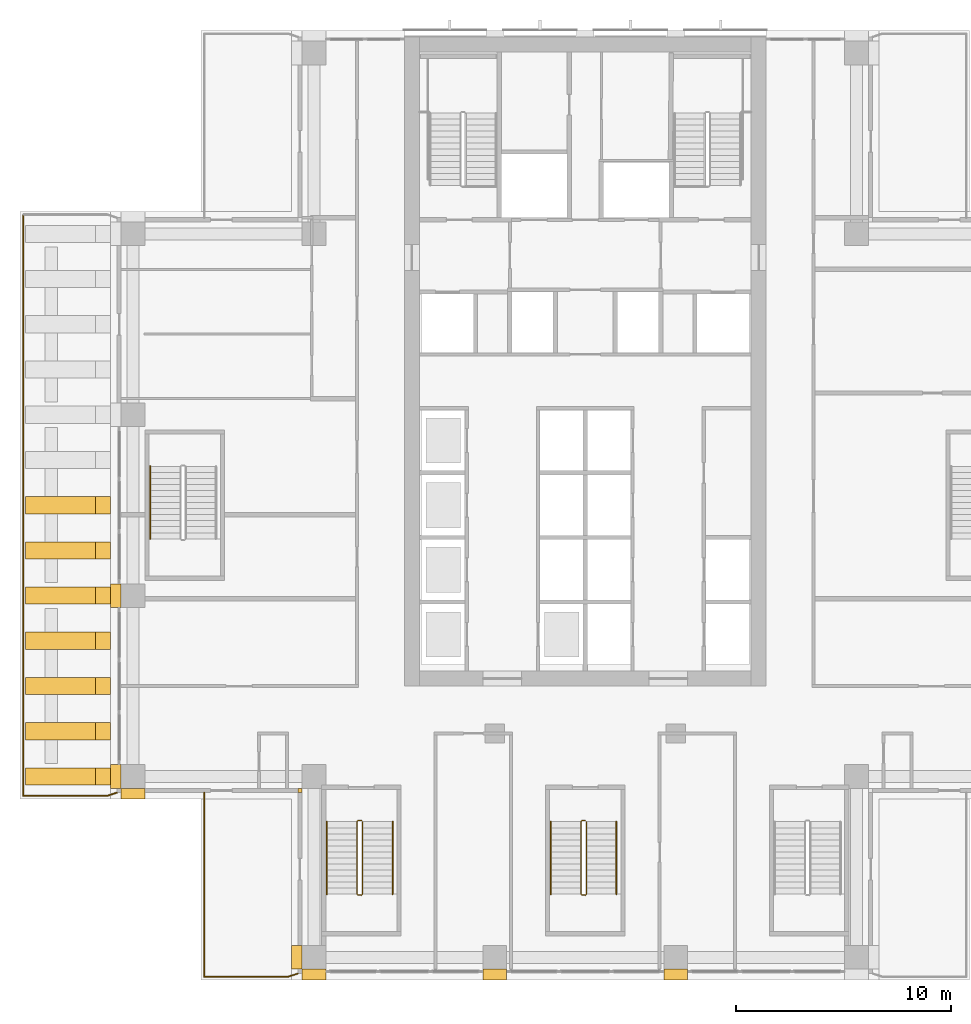
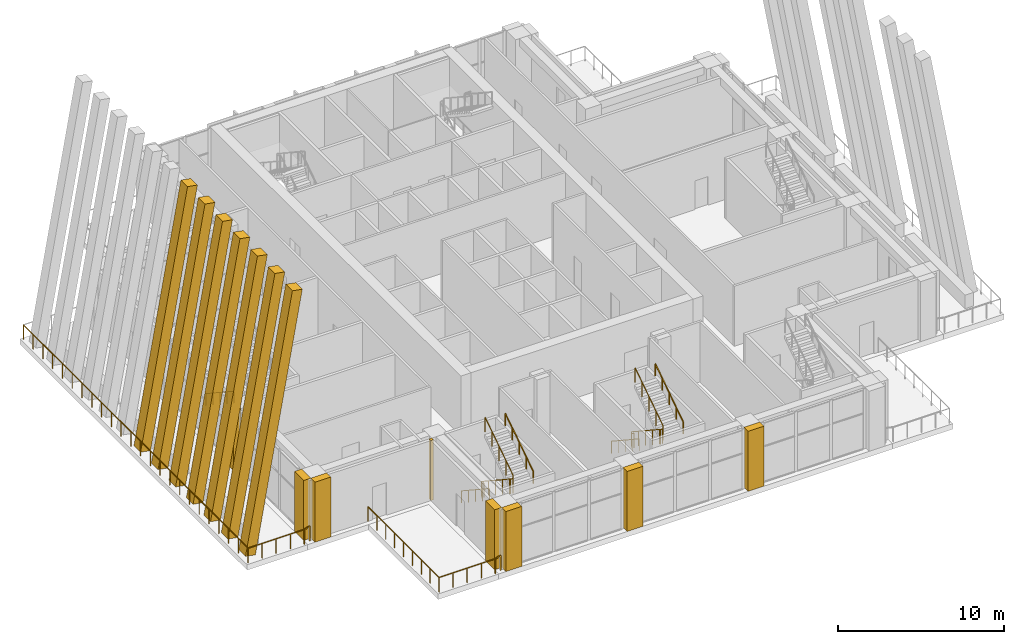
# One storey, part 14 of 19: 15 coverings, 13 railings.
"""IFC4 building model written with IfcOpenShell, lengths in metres."""

from ifc_helpers import new_model, si_unit, direction, frame, origin, origin_2d, place, context, subcontext, project, spatial, polyline, rectangle, outline, extrude, material, material_profile, profile_set, type_object, element, save


model = new_model("IFC4")

# Units and contexts
model_context = context("Model", 3, precision=1e-05, world=origin(), true_north=direction((0.0, 1.0)))
body_context = subcontext(model_context, "Body", "Model", "MODEL_VIEW")
ifc_project = project(units=[si_unit("LENGTHUNIT", "METRE"), si_unit("AREAUNIT", "SQUARE_METRE"), si_unit("VOLUMEUNIT", "CUBIC_METRE"), si_unit("PLANEANGLEUNIT", "RADIAN"), si_unit("MASSUNIT", "GRAM", prefix="KILO")], contexts=[model_context])

# Site, building, storey
site_placement = place(None, origin())
site = spatial("IfcSite", under=ifc_project, at=site_placement, CompositionType="ELEMENT")
building_placement = place(site_placement, origin())
building = spatial("IfcBuilding", under=site, at=building_placement, Name="Vermilion Ogive Tower", CompositionType="ELEMENT")
storey_placement = place(building_placement, frame((0.0, 0.0, 128.300048828125)))
storey = spatial("IfcBuildingStorey", under=building, at=storey_placement, Name="L32", CompositionType="ELEMENT", Elevation=128.300048828125)

# Railings
ifc_material_1 = material(Name="Steel S355 painted", Category="steel")
railing_type_1 = type_object("IfcRailingType", Name="Stair guard 1100", PredefinedType="GUARDRAIL", material=ifc_material_1)
railing_1_placement = place(storey_placement, frame((-10.39990234375, -14.64990234375, 0.0)))
element("IfcRailing", 1, at=railing_1_placement, inside=storey, type_object=railing_type_1, Name="L32 ST3 stair guard 4", PredefinedType="GUARDRAIL", context=body_context, shape_type="SweptSolid", body=[
    extrude(rectangle(XDim=0.048095703125, YDim=0.048095703125, at=origin_2d()), frame((0.0, 0.0, 1.076171875), z_axis=(-1.0, 0.0, 0.0), x_axis=(0.0, -1.0, 0.0)), (0.0, 0.0, 1.0), 0.150146484375),
    extrude(rectangle(XDim=0.048095703125, YDim=0.048095703125, at=origin_2d()), frame((-0.150146484375, 0.0, 1.076171875), z_axis=(-0.253185614162, -0.253185614162, 0.933699142959), x_axis=(0.707106781187, -0.707106781187, 0.0)), (0.0, 0.0, 1.0), 0.19775390625),
    extrude(rectangle(XDim=0.048095703125, YDim=0.048095703125, at=origin_2d()), frame((-0.2001953125, -0.050048828125, 1.2607421875), z_axis=(0.0, -0.834876476806, 0.550437342915), x_axis=(1.0, 0.0, 0.0)), (0.0, 0.0, 1.0), 4.024658203125),
    extrude(rectangle(XDim=0.048095703125, YDim=0.048095703125, at=origin_2d()), frame((-0.2001953125, -3.41015625, 3.47607421875), z_axis=(0.707106781187, -0.707106781187, 0.0), x_axis=(0.707106781187, 0.707106781187, 0.0)), (0.0, 0.0, 1.0), 0.07080078125),
    extrude(rectangle(XDim=0.048095703125, YDim=0.048095703125, at=origin_2d()), frame((-0.150146484375, -3.460205078125, 3.47607421875), z_axis=(1.0, 0.0, 0.0), x_axis=(0.0, 1.0, 0.0)), (0.0, 0.0, 1.0), 0.150146484375),
    extrude(rectangle(XDim=0.048095703125, YDim=0.048095703125, at=origin_2d()), frame((0.0, -3.460205078125, 3.47607421875), z_axis=(0.252029191293, 0.253264628505, 0.933990532438), x_axis=(-0.708833529934, 0.705375805398, 0.0)), (0.0, 0.0, 1.0), 0.197509765625),
    extrude(rectangle(XDim=0.048095703125, YDim=0.048095703125, at=origin_2d()), frame((0.0498046875, -3.41015625, 3.66064453125), z_axis=(0.0, 0.834848600103, 0.550479622607), x_axis=(-1.0, 0.0, 0.0)), (0.0, 0.0, 1.0), 4.02490234375),
    extrude(rectangle(XDim=0.0419921875, YDim=0.0419921875, at=origin_2d()), origin(), (0.0, 0.0, 1.0), 1.052001953125),
    extrude(rectangle(XDim=0.0419921875, YDim=0.0419921875, at=origin_2d()), frame((-0.150146484375, 0.0, 0.0)), (0.0, 0.0, 1.0), 1.052001953125),
    extrude(rectangle(XDim=0.0419921875, YDim=0.0419921875, at=origin_2d()), frame((-0.2001953125, -0.050048828125, 0.1845703125)), (0.0, 0.0, 1.0), 1.052001953125),
    extrude(rectangle(XDim=0.0419921875, YDim=0.0419921875, at=origin_2d()), frame((-0.2001953125, -0.89013671875, 0.73828125)), (0.0, 0.0, 1.0), 1.052001953125),
    extrude(rectangle(XDim=0.0419921875, YDim=0.0419921875, at=origin_2d()), frame((-0.2001953125, -1.72998046875, 1.292236328125)), (0.0, 0.0, 1.0), 1.052001953125),
    extrude(rectangle(XDim=0.0419921875, YDim=0.0419921875, at=origin_2d()), frame((-0.2001953125, -2.570068359375, 1.84619140625)), (0.0, 0.0, 1.0), 1.052001953125),
    extrude(rectangle(XDim=0.0419921875, YDim=0.0419921875, at=origin_2d()), frame((-0.2001953125, -3.41015625, 2.39990234375)), (0.0, 0.0, 1.0), 1.052001953125),
    extrude(rectangle(XDim=0.0419921875, YDim=0.0419921875, at=origin_2d()), frame((-0.150146484375, -3.460205078125, 2.39990234375)), (0.0, 0.0, 1.0), 1.052001953125),
    extrude(rectangle(XDim=0.0419921875, YDim=0.0419921875, at=origin_2d()), frame((0.0, -3.460205078125, 2.39990234375)), (0.0, 0.0, 1.0), 1.052001953125),
    extrude(rectangle(XDim=0.0419921875, YDim=0.0419921875, at=origin_2d()), frame((0.0498046875, -3.41015625, 2.58447265625)), (0.0, 0.0, 1.0), 1.052001953125),
    extrude(rectangle(XDim=0.0419921875, YDim=0.0419921875, at=origin_2d()), frame((0.0498046875, -2.570068359375, 3.138427734375)), (0.0, 0.0, 1.0), 1.052001953125),
    extrude(rectangle(XDim=0.0419921875, YDim=0.0419921875, at=origin_2d()), frame((0.0498046875, -1.72998046875, 3.6923828125)), (0.0, 0.0, 1.0), 1.052001953125),
    extrude(rectangle(XDim=0.0419921875, YDim=0.0419921875, at=origin_2d()), frame((0.0498046875, -0.89013671875, 4.24609375)), (0.0, 0.0, 1.0), 1.052001953125),
    extrude(rectangle(XDim=0.0419921875, YDim=0.0419921875, at=origin_2d()), frame((0.0498046875, -0.050048828125, 4.800048828125)), (0.0, 0.0, 1.0), 1.052001953125),
])
railing_2_placement = place(storey_placement, frame((0.0, -14.64990234375, 0.0)))
element("IfcRailing", 2, at=railing_2_placement, inside=storey, type_object=railing_type_1, Name="L32 ST4 stair guard 4", PredefinedType="GUARDRAIL", context=body_context, shape_type="SweptSolid", body=[
    extrude(rectangle(XDim=0.048095703125, YDim=0.048095703125, at=origin_2d()), frame((0.0, 0.0, 1.076171875), z_axis=(-1.0, 0.0, 0.0), x_axis=(0.0, -1.0, 0.0)), (0.0, 0.0, 1.0), 0.14990234375),
    extrude(rectangle(XDim=0.048095703125, YDim=0.048095703125, at=origin_2d()), frame((-0.14990234375, 0.0, 1.076171875), z_axis=(-0.253185614162, -0.253185614162, 0.933699142959), x_axis=(0.707106781187, -0.707106781187, 0.0)), (0.0, 0.0, 1.0), 0.19775390625),
    extrude(rectangle(XDim=0.048095703125, YDim=0.048095703125, at=origin_2d()), frame((-0.199951171875, -0.050048828125, 1.2607421875), z_axis=(0.0, -0.834876476806, 0.550437342915), x_axis=(1.0, 0.0, 0.0)), (0.0, 0.0, 1.0), 4.024658203125),
    extrude(rectangle(XDim=0.048095703125, YDim=0.048095703125, at=origin_2d()), frame((-0.199951171875, -3.41015625, 3.47607421875), z_axis=(0.707106781187, -0.707106781187, 0.0), x_axis=(0.707106781187, 0.707106781187, 0.0)), (0.0, 0.0, 1.0), 0.07080078125),
    extrude(rectangle(XDim=0.048095703125, YDim=0.048095703125, at=origin_2d()), frame((-0.14990234375, -3.460205078125, 3.47607421875), z_axis=(1.0, 0.0, 0.0), x_axis=(0.0, 1.0, 0.0)), (0.0, 0.0, 1.0), 0.14990234375),
    extrude(rectangle(XDim=0.048095703125, YDim=0.048095703125, at=origin_2d()), frame((0.0, -3.460205078125, 3.47607421875), z_axis=(0.253185614162, 0.253185614162, 0.933699142959), x_axis=(-0.707106781187, 0.707106781187, 0.0)), (0.0, 0.0, 1.0), 0.19775390625),
    extrude(rectangle(XDim=0.048095703125, YDim=0.048095703125, at=origin_2d()), frame((0.050048828125, -3.41015625, 3.66064453125), z_axis=(0.0, 0.834848600103, 0.550479622607), x_axis=(-1.0, 0.0, 0.0)), (0.0, 0.0, 1.0), 4.02490234375),
    extrude(rectangle(XDim=0.0419921875, YDim=0.0419921875, at=origin_2d()), origin(), (0.0, 0.0, 1.0), 1.052001953125),
    extrude(rectangle(XDim=0.0419921875, YDim=0.0419921875, at=origin_2d()), frame((-0.14990234375, 0.0, 0.0)), (0.0, 0.0, 1.0), 1.052001953125),
    extrude(rectangle(XDim=0.0419921875, YDim=0.0419921875, at=origin_2d()), frame((-0.199951171875, -0.050048828125, 0.1845703125)), (0.0, 0.0, 1.0), 1.052001953125),
    extrude(rectangle(XDim=0.0419921875, YDim=0.0419921875, at=origin_2d()), frame((-0.199951171875, -0.89013671875, 0.73828125)), (0.0, 0.0, 1.0), 1.052001953125),
    extrude(rectangle(XDim=0.0419921875, YDim=0.0419921875, at=origin_2d()), frame((-0.199951171875, -1.72998046875, 1.292236328125)), (0.0, 0.0, 1.0), 1.052001953125),
    extrude(rectangle(XDim=0.0419921875, YDim=0.0419921875, at=origin_2d()), frame((-0.199951171875, -2.570068359375, 1.84619140625)), (0.0, 0.0, 1.0), 1.052001953125),
    extrude(rectangle(XDim=0.0419921875, YDim=0.0419921875, at=origin_2d()), frame((-0.199951171875, -3.41015625, 2.39990234375)), (0.0, 0.0, 1.0), 1.052001953125),
    extrude(rectangle(XDim=0.0419921875, YDim=0.0419921875, at=origin_2d()), frame((-0.14990234375, -3.460205078125, 2.39990234375)), (0.0, 0.0, 1.0), 1.052001953125),
    extrude(rectangle(XDim=0.0419921875, YDim=0.0419921875, at=origin_2d()), frame((0.0, -3.460205078125, 2.39990234375)), (0.0, 0.0, 1.0), 1.052001953125),
    extrude(rectangle(XDim=0.0419921875, YDim=0.0419921875, at=origin_2d()), frame((0.050048828125, -3.41015625, 2.58447265625)), (0.0, 0.0, 1.0), 1.052001953125),
    extrude(rectangle(XDim=0.0419921875, YDim=0.0419921875, at=origin_2d()), frame((0.050048828125, -2.570068359375, 3.138427734375)), (0.0, 0.0, 1.0), 1.052001953125),
    extrude(rectangle(XDim=0.0419921875, YDim=0.0419921875, at=origin_2d()), frame((0.050048828125, -1.72998046875, 3.6923828125)), (0.0, 0.0, 1.0), 1.052001953125),
    extrude(rectangle(XDim=0.0419921875, YDim=0.0419921875, at=origin_2d()), frame((0.050048828125, -0.89013671875, 4.24609375)), (0.0, 0.0, 1.0), 1.052001953125),
    extrude(rectangle(XDim=0.0419921875, YDim=0.0419921875, at=origin_2d()), frame((0.050048828125, -0.050048828125, 4.800048828125)), (0.0, 0.0, 1.0), 1.052001953125),
])
ifc_material_2 = material(Name="Stainless steel", Category="steel")
railing_type_2 = type_object("IfcRailingType", Name="Stair handrail 900", PredefinedType="HANDRAIL", material=ifc_material_2)
railing_3_placement = place(storey_placement, frame((-12.0, -14.699951171875, 0.1845703125)))
element("IfcRailing", 3, at=railing_3_placement, inside=storey, type_object=railing_type_2, Name="L32 ST3 stair handrail 1", PredefinedType="HANDRAIL", context=body_context, shape_type="SweptSolid", body=[
    extrude(rectangle(XDim=0.048095703125, YDim=0.048095703125, at=origin_2d()), frame((0.0, 0.0, 0.8759765625), z_axis=(0.0, -0.834876476806, 0.550437342915), x_axis=(1.0, 0.0, 0.0)), (0.0, 0.0, 1.0), 4.024658203125),
    extrude(rectangle(XDim=0.0419921875, YDim=0.0419921875, at=origin_2d()), origin(), (0.0, 0.0, 1.0), 0.851806640625),
    extrude(rectangle(XDim=0.0419921875, YDim=0.0419921875, at=origin_2d()), frame((0.0, -0.840087890625, 0.5537109375)), (0.0, 0.0, 1.0), 0.851806640625),
    extrude(rectangle(XDim=0.0419921875, YDim=0.0419921875, at=origin_2d()), frame((0.0, -1.68017578125, 1.107666015625)), (0.0, 0.0, 1.0), 0.851806640625),
    extrude(rectangle(XDim=0.0419921875, YDim=0.0419921875, at=origin_2d()), frame((0.0, -2.52001953125, 1.66162109375)), (0.0, 0.0, 1.0), 0.851806640625),
    extrude(rectangle(XDim=0.0419921875, YDim=0.0419921875, at=origin_2d()), frame((0.0, -3.360107421875, 2.21533203125)), (0.0, 0.0, 1.0), 0.851806640625),
])
railing_4_placement = place(storey_placement, frame((-8.949951171875, -18.06005859375, 2.58447265625)))
element("IfcRailing", 4, at=railing_4_placement, inside=storey, type_object=railing_type_2, Name="L32 ST3 stair handrail 2", PredefinedType="HANDRAIL", context=body_context, shape_type="SweptSolid", body=[
    extrude(rectangle(XDim=0.048095703125, YDim=0.048095703125, at=origin_2d()), frame((0.0, 0.0, 0.8759765625), z_axis=(0.0, 0.834848600103, 0.550479622607), x_axis=(-1.0, 0.0, 0.0)), (0.0, 0.0, 1.0), 4.02490234375),
    extrude(rectangle(XDim=0.0419921875, YDim=0.0419921875, at=origin_2d()), origin(), (0.0, 0.0, 1.0), 0.851806640625),
    extrude(rectangle(XDim=0.0419921875, YDim=0.0419921875, at=origin_2d()), frame((0.0, 0.840087890625, 0.553955078125)), (0.0, 0.0, 1.0), 0.851806640625),
    extrude(rectangle(XDim=0.0419921875, YDim=0.0419921875, at=origin_2d()), frame((0.0, 1.68017578125, 1.10791015625)), (0.0, 0.0, 1.0), 0.851806640625),
    extrude(rectangle(XDim=0.0419921875, YDim=0.0419921875, at=origin_2d()), frame((0.0, 2.52001953125, 1.66162109375)), (0.0, 0.0, 1.0), 0.851806640625),
    extrude(rectangle(XDim=0.0419921875, YDim=0.0419921875, at=origin_2d()), frame((0.0, 3.360107421875, 2.215576171875)), (0.0, 0.0, 1.0), 0.851806640625),
])
railing_5_placement = place(storey_placement, frame((-1.60009765625, -14.699951171875, 0.1845703125)))
element("IfcRailing", 5, at=railing_5_placement, inside=storey, type_object=railing_type_2, Name="L32 ST4 stair handrail 1", PredefinedType="HANDRAIL", context=body_context, shape_type="SweptSolid", body=[
    extrude(rectangle(XDim=0.048095703125, YDim=0.048095703125, at=origin_2d()), frame((0.0, 0.0, 0.8759765625), z_axis=(0.0, -0.834876476806, 0.550437342915), x_axis=(1.0, 0.0, 0.0)), (0.0, 0.0, 1.0), 4.024658203125),
    extrude(rectangle(XDim=0.0419921875, YDim=0.0419921875, at=origin_2d()), origin(), (0.0, 0.0, 1.0), 0.851806640625),
    extrude(rectangle(XDim=0.0419921875, YDim=0.0419921875, at=origin_2d()), frame((0.0, -0.840087890625, 0.5537109375)), (0.0, 0.0, 1.0), 0.851806640625),
    extrude(rectangle(XDim=0.0419921875, YDim=0.0419921875, at=origin_2d()), frame((0.0, -1.68017578125, 1.107666015625)), (0.0, 0.0, 1.0), 0.851806640625),
    extrude(rectangle(XDim=0.0419921875, YDim=0.0419921875, at=origin_2d()), frame((0.0, -2.52001953125, 1.66162109375)), (0.0, 0.0, 1.0), 0.851806640625),
    extrude(rectangle(XDim=0.0419921875, YDim=0.0419921875, at=origin_2d()), frame((0.0, -3.360107421875, 2.21533203125)), (0.0, 0.0, 1.0), 0.851806640625),
])
railing_6_placement = place(storey_placement, frame((1.449951171875, -18.06005859375, 2.58447265625)))
element("IfcRailing", 6, at=railing_6_placement, inside=storey, type_object=railing_type_2, Name="L32 ST4 stair handrail 2", PredefinedType="HANDRAIL", context=body_context, shape_type="SweptSolid", body=[
    extrude(rectangle(XDim=0.048095703125, YDim=0.048095703125, at=origin_2d()), frame((0.0, 0.0, 0.8759765625), z_axis=(0.0, 0.834848600103, 0.550479622607), x_axis=(-1.0, 0.0, 0.0)), (0.0, 0.0, 1.0), 4.02490234375),
    extrude(rectangle(XDim=0.0419921875, YDim=0.0419921875, at=origin_2d()), origin(), (0.0, 0.0, 1.0), 0.851806640625),
    extrude(rectangle(XDim=0.0419921875, YDim=0.0419921875, at=origin_2d()), frame((0.0, 0.840087890625, 0.553955078125)), (0.0, 0.0, 1.0), 0.851806640625),
    extrude(rectangle(XDim=0.0419921875, YDim=0.0419921875, at=origin_2d()), frame((0.0, 1.68017578125, 1.10791015625)), (0.0, 0.0, 1.0), 0.851806640625),
    extrude(rectangle(XDim=0.0419921875, YDim=0.0419921875, at=origin_2d()), frame((0.0, 2.52001953125, 1.66162109375)), (0.0, 0.0, 1.0), 0.851806640625),
    extrude(rectangle(XDim=0.0419921875, YDim=0.0419921875, at=origin_2d()), frame((0.0, 3.360107421875, 2.215576171875)), (0.0, 0.0, 1.0), 0.851806640625),
])
railing_7_placement = place(storey_placement, frame((-20.199951171875, 1.800048828125, 0.1845703125)))
element("IfcRailing", 7, at=railing_7_placement, inside=storey, type_object=railing_type_2, Name="L32 ST9 stair handrail 1", PredefinedType="HANDRAIL", context=body_context, shape_type="SweptSolid", body=[
    extrude(rectangle(XDim=0.048095703125, YDim=0.048095703125, at=origin_2d()), frame((0.0, 0.0, 0.8759765625), z_axis=(0.0, -0.834876476806, 0.550437342915), x_axis=(1.0, 0.0, 0.0)), (0.0, 0.0, 1.0), 4.024658203125),
    extrude(rectangle(XDim=0.0419921875, YDim=0.0419921875, at=origin_2d()), origin(), (0.0, 0.0, 1.0), 0.851806640625),
    extrude(rectangle(XDim=0.0419921875, YDim=0.0419921875, at=origin_2d()), frame((0.0, -0.840087890625, 0.5537109375)), (0.0, 0.0, 1.0), 0.851806640625),
    extrude(rectangle(XDim=0.0419921875, YDim=0.0419921875, at=origin_2d()), frame((0.0, -1.68017578125, 1.107666015625)), (0.0, 0.0, 1.0), 0.851806640625),
    extrude(rectangle(XDim=0.0419921875, YDim=0.0419921875, at=origin_2d()), frame((0.0, -2.52001953125, 1.66162109375)), (0.0, 0.0, 1.0), 0.851806640625),
    extrude(rectangle(XDim=0.0419921875, YDim=0.0419921875, at=origin_2d()), frame((0.0, -3.360107421875, 2.21533203125)), (0.0, 0.0, 1.0), 0.851806640625),
])

# Coverings
ifc_material_3 = material(Name="Stone cladding", Category="masonry")
ifc_material_profile = material_profile(ifc_material_3, rectangle(XDim=0.800048828125, YDim=0.699951171875, at=origin_2d()), Name="STONE 800x700")
ifc_profile_set = profile_set([ifc_material_profile], Name="Stone cladding")
covering_type_1 = type_object("IfcCoveringType", Name="Stone flare fin", PredefinedType="CLADDING", material=ifc_profile_set)
for number, where, z_axis, x_axis, name in (
    (8, (-25.64990234375, -12.60009765625, 0.06103515625), (0.174779768693, 0.0, 0.984607552508), (0.0, 1.0, 0.0), "Stone flare fin WL01"),
    (9, (-25.64990234375, -10.5, 0.06103515625), (0.174779768693, 0.0, 0.984607552508), (0.0, 1.0, 0.0), "Stone flare fin WL02"),
    (10, (-25.64990234375, -8.39990234375, 0.06103515625), (0.174779768693, 0.0, 0.984607552508), (0.0, 1.0, 0.0), "Stone flare fin WL03"),
    (11, (-25.64990234375, -6.300048828125, 0.06103515625), (0.174779768693, 0.0, 0.984607552508), (0.0, 1.0, 0.0), "Stone flare fin WL04"),
    (12, (-25.64990234375, -4.199951171875, 0.06103515625), (0.174779768693, 0.0, 0.984607552508), (0.0, 1.0, 0.0), "Stone flare fin WL05"),
    (13, (-25.64990234375, -2.10009765625, 0.06103515625), (0.174779768693, 0.0, 0.984607552508), (0.0, 1.0, 0.0), "Stone flare fin WL06"),
    (14, (-25.64990234375, 0.0, 0.06103515625), (0.174779768693, 0.0, 0.984607552508), (0.0, 1.0, 0.0), "Stone flare fin WL07"),
):
    element("IfcCovering", number, at=place(storey_placement, frame(where, z_axis=z_axis, x_axis=x_axis)), inside=storey, type_object=covering_type_1, Name=name, PredefinedType="CLADDING", context=body_context, shape_type="SweptSolid", body=[
        extrude(rectangle(XDim=0.800048828125, YDim=0.699951171875, at=origin_2d()), origin(), (0.0, 0.0, 1.0), 18.62548828125),
    ])
ifc_material_4 = material(Name="Stone cladding", Category="masonry")
covering_type_2 = type_object("IfcCoveringType", Name="Stone pier", PredefinedType="CLADDING", material=ifc_material_4)
covering_1_placement = place(storey_placement, origin())
element("IfcCovering", 15, at=covering_1_placement, inside=storey, type_object=covering_type_2, Name="Stone pier P+0042-210", PredefinedType="CLADDING", context=body_context, shape_type="SweptSolid", body=[
    extrude(outline(polyline([(4.75, -21.550048828125), (4.75, -22.050048828125), (3.64990234375, -22.050048828125), (3.64990234375, -21.550048828125), (4.75, -21.550048828125), (4.75, -21.550048828125)])), origin(), (0.0, 0.0, 1.0), 4.39990234375),
])
covering_2_placement = place(storey_placement, origin())
element("IfcCovering", 16, at=covering_2_placement, inside=storey, type_object=covering_type_2, Name="Stone pier P-0042-210", PredefinedType="CLADDING", context=body_context, shape_type="SweptSolid", body=[
    extrude(outline(polyline([(-3.64990234375, -21.550048828125), (-3.64990234375, -22.050048828125), (-4.75, -22.050048828125), (-4.75, -21.550048828125), (-4.75, -21.550048828125), (-3.64990234375, -21.550048828125)])), origin(), (0.0, 0.0, 1.0), 4.39990234375),
])
covering_3_placement = place(storey_placement, origin())
element("IfcCovering", 17, at=covering_3_placement, inside=storey, type_object=covering_type_2, Name="Stone pier P-0126-210S", PredefinedType="CLADDING", context=body_context, shape_type="SweptSolid", body=[
    extrude(outline(polyline([(-12.050048828125, -22.050048828125), (-13.14990234375, -22.050048828125), (-13.14990234375, -21.550048828125), (-12.050048828125, -21.550048828125), (-12.050048828125, -22.050048828125)])), origin(), (0.0, 0.0, 1.0), 4.39990234375),
])
covering_4_placement = place(storey_placement, origin())
element("IfcCovering", 18, at=covering_4_placement, inside=storey, type_object=covering_type_2, Name="Stone pier P-0126-210X8", PredefinedType="CLADDING", context=body_context, shape_type="SweptSolid", body=[
    extrude(outline(polyline([(-13.64990234375, -20.449951171875), (-13.14990234375, -20.449951171875), (-13.14990234375, -21.550048828125), (-13.64990234375, -21.550048828125), (-13.64990234375, -20.449951171875)])), origin(), (0.0, 0.0, 1.0), 4.39990234375),
])
covering_5_placement = place(storey_placement, origin())
element("IfcCovering", 19, at=covering_5_placement, inside=storey, type_object=covering_type_2, Name="Stone pier P-0210-042", PredefinedType="CLADDING", context=body_context, shape_type="SweptSolid", body=[
    extrude(outline(polyline([(-21.550048828125, -4.75), (-22.050048828125, -4.75), (-22.050048828125, -3.64990234375), (-21.550048828125, -3.64990234375), (-21.550048828125, -4.75), (-21.550048828125, -4.75)])), origin(), (0.0, 0.0, 1.0), 4.39990234375),
])
covering_6_placement = place(storey_placement, origin())
element("IfcCovering", 20, at=covering_6_placement, inside=storey, type_object=covering_type_2, Name="Stone pier P-0210-126W", PredefinedType="CLADDING", context=body_context, shape_type="SweptSolid", body=[
    extrude(outline(polyline([(-22.050048828125, -13.14990234375), (-22.050048828125, -12.050048828125), (-21.550048828125, -12.050048828125), (-21.550048828125, -13.14990234375), (-22.050048828125, -13.14990234375)])), origin(), (0.0, 0.0, 1.0), 4.39990234375),
])
covering_7_placement = place(storey_placement, origin())
element("IfcCovering", 21, at=covering_7_placement, inside=storey, type_object=covering_type_2, Name="Stone pier P-0210-126X7", PredefinedType="CLADDING", context=body_context, shape_type="SweptSolid", body=[
    extrude(outline(polyline([(-21.550048828125, -13.64990234375), (-21.550048828125, -13.14990234375), (-20.449951171875, -13.14990234375), (-20.449951171875, -13.64990234375), (-21.550048828125, -13.64990234375)])), origin(), (0.0, 0.0, 1.0), 4.39990234375),
])
covering_8_placement = place(storey_placement, origin())
element("IfcCovering", 22, at=covering_8_placement, inside=storey, type_object=covering_type_2, Name="Stone corner pier X7E1", PredefinedType="CLADDING", context=body_context, shape_type="SweptSolid", body=[
    extrude(outline(polyline([(-13.14990234375, -13.14990234375), (-13.14990234375, -13.35009765625), (-13.35009765625, -13.35009765625), (-13.35009765625, -13.14990234375), (-13.14990234375, -13.14990234375)])), origin(), (0.0, 0.0, 1.0), 4.39990234375),
])

# Railings
ifc_material_5 = material(Name="Stainless steel and glass", Category="steel")
railing_type_3 = type_object("IfcRailingType", Name="Terrace guard", PredefinedType="GUARDRAIL", material=ifc_material_5)
railing_8_placement = place(storey_placement, frame((-13.35009765625, -21.75, 0.0)))
element("IfcRailing", 23, at=railing_8_placement, inside=storey, type_object=railing_type_3, Name="Terrace guard 1.1", PredefinedType="GUARDRAIL", context=body_context, shape_type="SweptSolid", body=[
    extrude(rectangle(XDim=0.048095703125, YDim=0.048095703125, at=origin_2d()), frame((0.0, 0.0, 1.076171875), z_axis=(-0.948734763221, -0.316073328604, 0.0), x_axis=(0.316073328604, -0.948734763221, 0.0)), (0.0, 0.0, 1.0), 0.474365234375),
    extrude(rectangle(XDim=0.0419921875, YDim=0.0419921875, at=origin_2d()), origin(), (0.0, 0.0, 1.0), 1.052001953125),
    extrude(rectangle(XDim=0.0419921875, YDim=0.0419921875, at=origin_2d()), frame((-0.449951171875, -0.14990234375, 0.0)), (0.0, 0.0, 1.0), 1.052001953125),
])
railing_9_placement = place(storey_placement, frame((-13.800048828125, -21.89990234375, 0.0)))
element("IfcRailing", 24, at=railing_9_placement, inside=storey, type_object=railing_type_3, Name="Terrace guard 1.1.2", PredefinedType="GUARDRAIL", context=body_context, shape_type="SweptSolid", body=[
    extrude(rectangle(XDim=0.048095703125, YDim=0.048095703125, at=origin_2d()), frame((0.0, 0.0, 1.076171875), z_axis=(-1.0, 0.0, 0.0), x_axis=(0.0, -1.0, 0.0)), (0.0, 0.0, 1.0), 3.89990234375),
    extrude(rectangle(XDim=0.0419921875, YDim=0.0419921875, at=origin_2d()), origin(), (0.0, 0.0, 1.0), 1.052001953125),
    extrude(rectangle(XDim=0.0419921875, YDim=0.0419921875, at=origin_2d()), frame((-0.97509765625, 0.0, 0.0)), (0.0, 0.0, 1.0), 1.052001953125),
    extrude(rectangle(XDim=0.0419921875, YDim=0.0419921875, at=origin_2d()), frame((-1.949951171875, 0.0, 0.0)), (0.0, 0.0, 1.0), 1.052001953125),
    extrude(rectangle(XDim=0.0419921875, YDim=0.0419921875, at=origin_2d()), frame((-2.9248046875, 0.0, 0.0)), (0.0, 0.0, 1.0), 1.052001953125),
    extrude(rectangle(XDim=0.0419921875, YDim=0.0419921875, at=origin_2d()), frame((-3.89990234375, 0.0, 0.0)), (0.0, 0.0, 1.0), 1.052001953125),
])
railing_10_placement = place(storey_placement, frame((-17.699951171875, -21.89990234375, 0.0)))
element("IfcRailing", 25, at=railing_10_placement, inside=storey, type_object=railing_type_3, Name="Terrace guard 1.1.3", PredefinedType="GUARDRAIL", context=body_context, shape_type="SweptSolid", body=[
    extrude(rectangle(XDim=0.048095703125, YDim=0.048095703125, at=origin_2d()), frame((0.0, 0.0, 1.076171875), z_axis=(0.0, 1.0, 0.0), x_axis=(-1.0, 0.0, 0.0)), (0.0, 0.0, 1.0), 8.5498046875),
    extrude(rectangle(XDim=0.0419921875, YDim=0.0419921875, at=origin_2d()), origin(), (0.0, 0.0, 1.0), 1.052001953125),
    extrude(rectangle(XDim=0.0419921875, YDim=0.0419921875, at=origin_2d()), frame((0.0, 1.06884765625, 0.0)), (0.0, 0.0, 1.0), 1.052001953125),
    extrude(rectangle(XDim=0.0419921875, YDim=0.0419921875, at=origin_2d()), frame((0.0, 2.137451171875, 0.0)), (0.0, 0.0, 1.0), 1.052001953125),
    extrude(rectangle(XDim=0.0419921875, YDim=0.0419921875, at=origin_2d()), frame((0.0, 3.2060546875, 0.0)), (0.0, 0.0, 1.0), 1.052001953125),
    extrude(rectangle(XDim=0.0419921875, YDim=0.0419921875, at=origin_2d()), frame((0.0, 4.27490234375, 0.0)), (0.0, 0.0, 1.0), 1.052001953125),
    extrude(rectangle(XDim=0.0419921875, YDim=0.0419921875, at=origin_2d()), frame((0.0, 5.34375, 0.0)), (0.0, 0.0, 1.0), 1.052001953125),
    extrude(rectangle(XDim=0.0419921875, YDim=0.0419921875, at=origin_2d()), frame((0.0, 6.412353515625, 0.0)), (0.0, 0.0, 1.0), 1.052001953125),
    extrude(rectangle(XDim=0.0419921875, YDim=0.0419921875, at=origin_2d()), frame((0.0, 7.48095703125, 0.0)), (0.0, 0.0, 1.0), 1.052001953125),
    extrude(rectangle(XDim=0.0419921875, YDim=0.0419921875, at=origin_2d()), frame((0.0, 8.5498046875, 0.0)), (0.0, 0.0, 1.0), 1.052001953125),
])
railing_11_placement = place(storey_placement, frame((-21.75, -13.35009765625, 0.0)))
element("IfcRailing", 26, at=railing_11_placement, inside=storey, type_object=railing_type_3, Name="Terrace guard 2.1", PredefinedType="GUARDRAIL", context=body_context, shape_type="SweptSolid", body=[
    extrude(rectangle(XDim=0.048095703125, YDim=0.048095703125, at=origin_2d()), frame((0.0, 0.0, 1.076171875), z_axis=(-0.948734763221, -0.316073328604, 0.0), x_axis=(0.316073328604, -0.948734763221, 0.0)), (0.0, 0.0, 1.0), 0.474365234375),
    extrude(rectangle(XDim=0.0419921875, YDim=0.0419921875, at=origin_2d()), origin(), (0.0, 0.0, 1.0), 1.052001953125),
    extrude(rectangle(XDim=0.0419921875, YDim=0.0419921875, at=origin_2d()), frame((-0.449951171875, -0.14990234375, 0.0)), (0.0, 0.0, 1.0), 1.052001953125),
])
railing_12_placement = place(storey_placement, frame((-22.199951171875, -13.5, 0.0)))
element("IfcRailing", 27, at=railing_12_placement, inside=storey, type_object=railing_type_3, Name="Terrace guard 2.1.2", PredefinedType="GUARDRAIL", context=body_context, shape_type="SweptSolid", body=[
    extrude(rectangle(XDim=0.048095703125, YDim=0.048095703125, at=origin_2d()), frame((0.0, 0.0, 1.076171875), z_axis=(-1.0, 0.0, 0.0), x_axis=(0.0, -1.0, 0.0)), (0.0, 0.0, 1.0), 3.900146484375),
    extrude(rectangle(XDim=0.0419921875, YDim=0.0419921875, at=origin_2d()), origin(), (0.0, 0.0, 1.0), 1.052001953125),
    extrude(rectangle(XDim=0.0419921875, YDim=0.0419921875, at=origin_2d()), frame((-0.97509765625, 0.0, 0.0)), (0.0, 0.0, 1.0), 1.052001953125),
    extrude(rectangle(XDim=0.0419921875, YDim=0.0419921875, at=origin_2d()), frame((-1.9501953125, 0.0, 0.0)), (0.0, 0.0, 1.0), 1.052001953125),
    extrude(rectangle(XDim=0.0419921875, YDim=0.0419921875, at=origin_2d()), frame((-2.925048828125, 0.0, 0.0)), (0.0, 0.0, 1.0), 1.052001953125),
    extrude(rectangle(XDim=0.0419921875, YDim=0.0419921875, at=origin_2d()), frame((-3.900146484375, 0.0, 0.0)), (0.0, 0.0, 1.0), 1.052001953125),
])
railing_13_placement = place(storey_placement, frame((-26.10009765625, -13.5, 0.0)))
element("IfcRailing", 28, at=railing_13_placement, inside=storey, type_object=railing_type_3, Name="Terrace guard 2.1.3", PredefinedType="GUARDRAIL", context=body_context, shape_type="SweptSolid", body=[
    extrude(rectangle(XDim=0.048095703125, YDim=0.048095703125, at=origin_2d()), frame((0.0, 0.0, 1.076171875), z_axis=(0.0, 1.0, 0.0), x_axis=(-1.0, 0.0, 0.0)), (0.0, 0.0, 1.0), 27.0),
    extrude(rectangle(XDim=0.0419921875, YDim=0.0419921875, at=origin_2d()), origin(), (0.0, 0.0, 1.0), 1.052001953125),
    extrude(rectangle(XDim=0.0419921875, YDim=0.0419921875, at=origin_2d()), frame((0.0, 1.173828125, 0.0)), (0.0, 0.0, 1.0), 1.052001953125),
    extrude(rectangle(XDim=0.0419921875, YDim=0.0419921875, at=origin_2d()), frame((0.0, 2.347900390625, 0.0)), (0.0, 0.0, 1.0), 1.052001953125),
    extrude(rectangle(XDim=0.0419921875, YDim=0.0419921875, at=origin_2d()), frame((0.0, 3.521728515625, 0.0)), (0.0, 0.0, 1.0), 1.052001953125),
    extrude(rectangle(XDim=0.0419921875, YDim=0.0419921875, at=origin_2d()), frame((0.0, 4.695556640625, 0.0)), (0.0, 0.0, 1.0), 1.052001953125),
    extrude(rectangle(XDim=0.0419921875, YDim=0.0419921875, at=origin_2d()), frame((0.0, 5.86962890625, 0.0)), (0.0, 0.0, 1.0), 1.052001953125),
    extrude(rectangle(XDim=0.0419921875, YDim=0.0419921875, at=origin_2d()), frame((0.0, 7.04345703125, 0.0)), (0.0, 0.0, 1.0), 1.052001953125),
    extrude(rectangle(XDim=0.0419921875, YDim=0.0419921875, at=origin_2d()), frame((0.0, 8.21728515625, 0.0)), (0.0, 0.0, 1.0), 1.052001953125),
    extrude(rectangle(XDim=0.0419921875, YDim=0.0419921875, at=origin_2d()), frame((0.0, 9.391357421875, 0.0)), (0.0, 0.0, 1.0), 1.052001953125),
    extrude(rectangle(XDim=0.0419921875, YDim=0.0419921875, at=origin_2d()), frame((0.0, 10.565185546875, 0.0)), (0.0, 0.0, 1.0), 1.052001953125),
    extrude(rectangle(XDim=0.0419921875, YDim=0.0419921875, at=origin_2d()), frame((0.0, 11.739013671875, 0.0)), (0.0, 0.0, 1.0), 1.052001953125),
    extrude(rectangle(XDim=0.0419921875, YDim=0.0419921875, at=origin_2d()), frame((0.0, 12.9130859375, 0.0)), (0.0, 0.0, 1.0), 1.052001953125),
    extrude(rectangle(XDim=0.0419921875, YDim=0.0419921875, at=origin_2d()), frame((0.0, 14.0869140625, 0.0)), (0.0, 0.0, 1.0), 1.052001953125),
    extrude(rectangle(XDim=0.0419921875, YDim=0.0419921875, at=origin_2d()), frame((0.0, 15.260986328125, 0.0)), (0.0, 0.0, 1.0), 1.052001953125),
    extrude(rectangle(XDim=0.0419921875, YDim=0.0419921875, at=origin_2d()), frame((0.0, 16.434814453125, 0.0)), (0.0, 0.0, 1.0), 1.052001953125),
    extrude(rectangle(XDim=0.0419921875, YDim=0.0419921875, at=origin_2d()), frame((0.0, 17.608642578125, 0.0)), (0.0, 0.0, 1.0), 1.052001953125),
    extrude(rectangle(XDim=0.0419921875, YDim=0.0419921875, at=origin_2d()), frame((0.0, 18.78271484375, 0.0)), (0.0, 0.0, 1.0), 1.052001953125),
    extrude(rectangle(XDim=0.0419921875, YDim=0.0419921875, at=origin_2d()), frame((0.0, 19.95654296875, 0.0)), (0.0, 0.0, 1.0), 1.052001953125),
    extrude(rectangle(XDim=0.0419921875, YDim=0.0419921875, at=origin_2d()), frame((0.0, 21.13037109375, 0.0)), (0.0, 0.0, 1.0), 1.052001953125),
    extrude(rectangle(XDim=0.0419921875, YDim=0.0419921875, at=origin_2d()), frame((0.0, 22.304443359375, 0.0)), (0.0, 0.0, 1.0), 1.052001953125),
    extrude(rectangle(XDim=0.0419921875, YDim=0.0419921875, at=origin_2d()), frame((0.0, 23.478271484375, 0.0)), (0.0, 0.0, 1.0), 1.052001953125),
    extrude(rectangle(XDim=0.0419921875, YDim=0.0419921875, at=origin_2d()), frame((0.0, 24.652099609375, 0.0)), (0.0, 0.0, 1.0), 1.052001953125),
    extrude(rectangle(XDim=0.0419921875, YDim=0.0419921875, at=origin_2d()), frame((0.0, 25.826171875, 0.0)), (0.0, 0.0, 1.0), 1.052001953125),
    extrude(rectangle(XDim=0.0419921875, YDim=0.0419921875, at=origin_2d()), frame((0.0, 27.0, 0.0)), (0.0, 0.0, 1.0), 1.052001953125),
])

save(model, "model.ifc")
